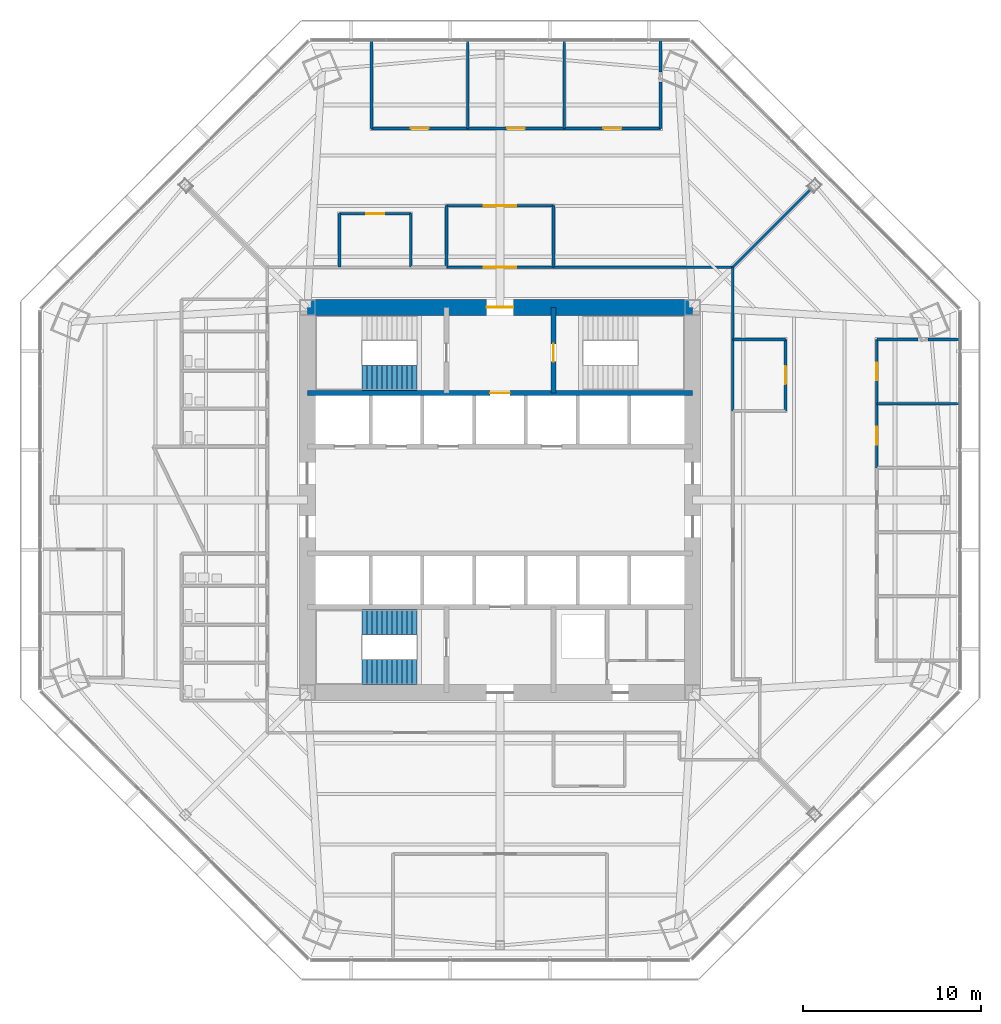
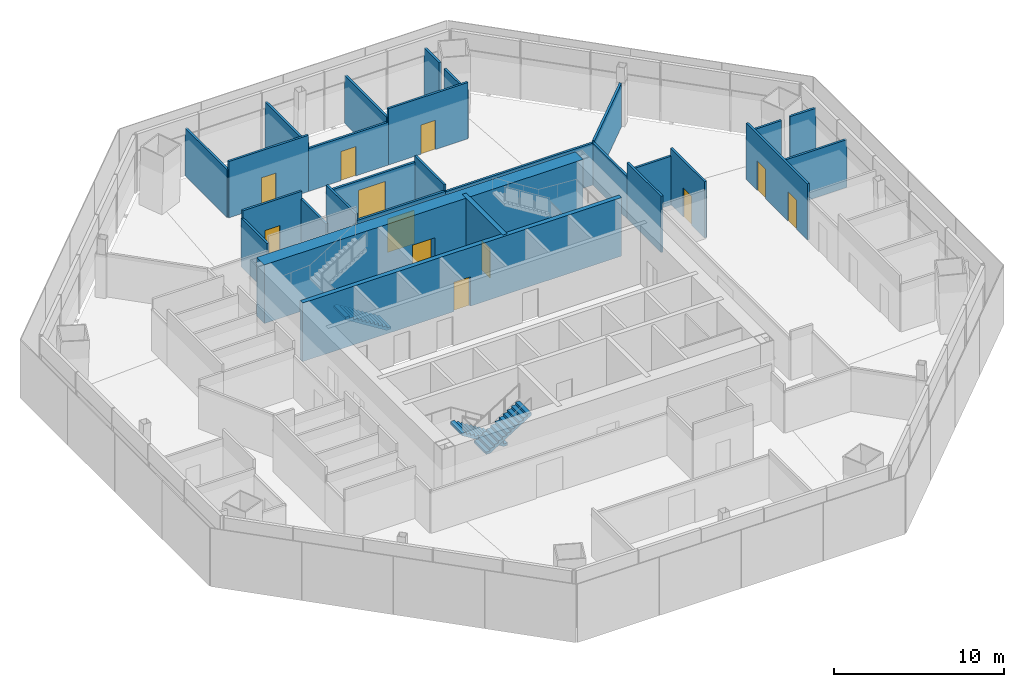
# One storey, part 12 of 16: 28 walls, 12 doors, 3 stair flights, 12 openings, 2 elements without a shape of their own.
"""IFC4 building model written with IfcOpenShell, lengths in metres."""

import ifcopenshell
import ifcopenshell.guid

model = None  # the IFC model being written
_history = None  # IfcOwnerHistory: only IFC2X3 demands one
_inside = {}  # id of a spatial element -> (the spatial element, [elements in it])
_under = {}  # id of a project, library or spatial element -> (it, [spatial elements below it])
_declared = {}  # id of a project -> (the project, [libraries it declares])
_typed = {}  # id of a type object -> (the type object, [elements of that type])
_made_of = {}  # id of a material, layer set ... -> (it, [elements and type objects made of it])


def new_model(schema):
    """Start an empty IFC model of exactly this schema.

    Asked for "IFC4X3", IfcOpenShell would pick the latest addendum, in which some entities
    have other attributes; the version numbers below select the first issue.
    IFC2X3 requires an IfcOwnerHistory on every rooted entity: one is made here for all.
    """
    global model, _history
    if schema == "IFC4X3":
        model = ifcopenshell.file(schema_version=(4, 3, 0, 0))
    else:
        model = ifcopenshell.file(schema=schema)
    _inside.clear()
    _under.clear()
    _declared.clear()
    _typed.clear()
    _made_of.clear()
    _history = None
    if model.schema == "IFC2X3":
        org = make("IfcOrganization", Name="unknown")
        user = make(
            "IfcPersonAndOrganization",
            ThePerson=make("IfcPerson", FamilyName="unknown"),
            TheOrganization=org,
        )
        app = make(
            "IfcApplication",
            ApplicationDeveloper=org,
            Version="unknown",
            ApplicationFullName="unknown",
            ApplicationIdentifier="unknown",
        )
        _history = make(
            "IfcOwnerHistory",
            OwningUser=user,
            OwningApplication=app,
            ChangeAction="ADDED",
            CreationDate=0,
        )
    return model


def make(cls, **values):
    """One entity of the class cls with the attributes given. An attribute that is None is left unset."""
    return model.create_entity(
        cls, **{name: value for name, value in values.items() if value is not None}
    )


def rooted(cls, **values):
    """An entity with a GlobalId (a new one), such as an element, a storey or a relation."""
    return make(cls, GlobalId=ifcopenshell.guid.new(), OwnerHistory=_history, **values)


def si_unit(unit_type, name, prefix=None):
    """IfcSIUnit, for example si_unit("LENGTHUNIT", "METRE", prefix="MILLI")."""
    return make("IfcSIUnit", UnitType=unit_type, Prefix=prefix, Name=name)


def assignment(units):
    """IfcUnitAssignment: the units of a project."""
    return None if units is None else make("IfcUnitAssignment", Units=units)


def point(xyz):
    """IfcCartesianPoint."""
    return None if xyz is None else make("IfcCartesianPoint", Coordinates=xyz)


def direction(xyz):
    """IfcDirection."""
    return None if xyz is None else make("IfcDirection", DirectionRatios=xyz)


def frame(location, z_axis=None, x_axis=None):
    """IfcAxis2Placement3D, a coordinate frame: its origin and axes. An axis left out is left unset."""
    return make(
        "IfcAxis2Placement3D",
        Location=point(location),
        Axis=direction(z_axis),
        RefDirection=direction(x_axis),
    )


def frame_2d(location, x_axis=None):
    """IfcAxis2Placement2D, a coordinate frame in the plane: its origin and x axis."""
    return make(
        "IfcAxis2Placement2D", Location=point(location), RefDirection=direction(x_axis)
    )


def origin():
    """The frame at (0, 0, 0) with its axes left unset."""
    return frame((0.0, 0.0, 0.0))


def place(relative_to, where):
    """IfcLocalPlacement: puts the frame where relative to a parent placement (None: the world)."""
    return make(
        "IfcLocalPlacement", PlacementRelTo=relative_to, RelativePlacement=where
    )


def context(
    kind, dimensions, precision=None, world=None, true_north=None, identifier=None
):
    """IfcGeometricRepresentationContext, for example the 3D "Model" context."""
    return make(
        "IfcGeometricRepresentationContext",
        ContextIdentifier=identifier,
        ContextType=kind,
        CoordinateSpaceDimension=dimensions,
        Precision=precision,
        WorldCoordinateSystem=world,
        TrueNorth=true_north,
    )


def subcontext(parent, identifier, kind, view, scale=None):
    """IfcGeometricRepresentationSubContext, for example "Body" below "Model"."""
    return make(
        "IfcGeometricRepresentationSubContext",
        ContextIdentifier=identifier,
        ContextType=kind,
        ParentContext=parent,
        TargetScale=scale,
        TargetView=view,
    )


def project(units=None, contexts=None):
    """IfcProject with its units and contexts."""
    return rooted(
        "IfcProject",
        Name="project",
        RepresentationContexts=contexts,
        UnitsInContext=assignment(units),
    )


def spatial(cls, under=None, at=None, **own):
    """A site, building, storey or space (cls), placed at a placement, below another one or the project."""
    s = rooted(cls, ObjectPlacement=at, **own)
    if under is not None:
        _under.setdefault(under.id(), (under, []))[1].append(s)
    return s


def polyline(points):
    """IfcPolyline through the points."""
    return make("IfcPolyline", Points=[point(p) for p in points])


def profile(cls, at=None, kind="AREA", **sizes):
    """A parametric profile (cls). Its sizes go by their IFC names, for example OverallWidth=200.0."""
    return make(cls, ProfileType=kind, Position=at, **sizes)


def rectangle(**sizes):
    """IfcRectangleProfileDef."""
    return profile("IfcRectangleProfileDef", **sizes)


def outline(outer, holes=None, kind="AREA"):
    """IfcArbitraryClosedProfileDef: a profile drawn as a closed curve; with holes, ...WithVoids."""
    if holes is None:
        return make("IfcArbitraryClosedProfileDef", ProfileType=kind, OuterCurve=outer)
    return make(
        "IfcArbitraryProfileDefWithVoids",
        ProfileType=kind,
        OuterCurve=outer,
        InnerCurves=holes,
    )


def extrude(swept, where, along, depth):
    """IfcExtrudedAreaSolid: the profile swept, set in the frame where, extruded along a direction by depth."""
    return make(
        "IfcExtrudedAreaSolid",
        SweptArea=swept,
        Position=where,
        ExtrudedDirection=direction(along),
        Depth=depth,
    )


def shape(context_of_items, identifier, shape_type, items):
    """IfcShapeRepresentation: the items that make up one representation, for example the "Body"."""
    return make(
        "IfcShapeRepresentation",
        ContextOfItems=context_of_items,
        RepresentationIdentifier=identifier,
        RepresentationType=shape_type,
        Items=items,
    )


def material(Name=None, Category=None):
    """IfcMaterial."""
    return make("IfcMaterial", Name=Name, Category=Category)


def layer(
    of_material, thickness, ventilated=None, Name=None, Category=None, Priority=None
):
    """IfcMaterialLayer: one layer of a wall or slab, of a material (None: an air gap)."""
    return make(
        "IfcMaterialLayer",
        Material=of_material,
        LayerThickness=thickness,
        IsVentilated=ventilated,
        Name=Name,
        Category=Category,
        Priority=Priority,
    )


def layer_set(layers, Name=None):
    """IfcMaterialLayerSet."""
    return make("IfcMaterialLayerSet", MaterialLayers=layers, LayerSetName=Name)


def made_of(thing, what):
    """Note that an element or type object is made of a material, layer set ...; save() writes the relation."""
    if what is not None:
        _made_of.setdefault(what.id(), (what, []))[1].append(thing)
    return thing


def type_object(cls, material=None, **own):
    """A type object (cls), such as IfcWallType, which elements share."""
    return made_of(rooted(cls, **own), material)


def element(
    cls,
    number,
    at=None,
    inside=None,
    cuts=None,
    type_object=None,
    material=None,
    context=None,
    identifier="Body",
    shape_type=None,
    held_by="IfcProductDefinitionShape",
    body=None,
    shapes=None,
    **own,
):
    """One element of the class cls, such as IfcWall. Its Tag is "e" and its number.

    at: its placement. inside: the storey or other place that contains it. cuts: it is an
    opening in that element (IfcRelVoidsElement). A single representation is given by context,
    identifier, shape_type and body (its items); several are given by shapes. held_by: the class
    of the entity that holds the representations. save() writes the other relations.
    """
    e = rooted(cls, Tag="e%d" % number, ObjectPlacement=at, **own)
    if body is not None:
        shapes = [shape(context, identifier, shape_type, body)]
    if shapes is not None:
        e.Representation = make(held_by, Representations=shapes)
    if inside is not None:
        _inside.setdefault(inside.id(), (inside, []))[1].append(e)
    if cuts is not None:
        rooted(
            "IfcRelVoidsElement", RelatingBuildingElement=cuts, RelatedOpeningElement=e
        )
    if type_object is not None:
        _typed.setdefault(type_object.id(), (type_object, []))[1].append(e)
    return made_of(e, material)


def fill(opening, filler):
    """IfcRelFillsElement: the door or window that sits in an opening."""
    return rooted(
        "IfcRelFillsElement",
        RelatingOpeningElement=opening,
        RelatedBuildingElement=filler,
    )


def aggregate(whole, parts):
    """IfcRelAggregates: a whole, such as a stair, and the parts it consists of."""
    return rooted("IfcRelAggregates", RelatingObject=whole, RelatedObjects=parts)


def save(model, path):
    """Write the relations noted so far, then the file.

    IfcRelAggregates (storeys below a building ...), IfcRelContainedInSpatialStructure (elements
    in a storey), IfcRelDefinesByType, IfcRelAssociatesMaterial and IfcRelDeclares: one each for
    every whole, place, type object, material and project.
    """
    for whole, parts in _under.values():
        aggregate(whole, parts)
    for where, things in _inside.values():
        rooted(
            "IfcRelContainedInSpatialStructure",
            RelatedElements=things,
            RelatingStructure=where,
        )
    for kind, things in _typed.values():
        rooted("IfcRelDefinesByType", RelatedObjects=things, RelatingType=kind)
    for what, things in _made_of.values():
        rooted("IfcRelAssociatesMaterial", RelatedObjects=things, RelatingMaterial=what)
    for by, libraries in _declared.values():
        rooted("IfcRelDeclares", RelatingContext=by, RelatedDefinitions=libraries)
    model.write(path)


model = new_model("IFC4")

# Units and contexts
model_context = context("Model", 3, precision=1e-05, world=origin(), true_north=direction((0.0, 1.0)))
body_context = subcontext(model_context, "Body", "Model", "MODEL_VIEW")
ifc_project = project(units=[si_unit("LENGTHUNIT", "METRE"), si_unit("AREAUNIT", "SQUARE_METRE"), si_unit("VOLUMEUNIT", "CUBIC_METRE"), si_unit("PLANEANGLEUNIT", "RADIAN"), si_unit("MASSUNIT", "GRAM", prefix="KILO")], contexts=[model_context])

# Site, building, storey
site_placement = place(None, origin())
site = spatial("IfcSite", under=ifc_project, at=site_placement, CompositionType="ELEMENT")
building_placement = place(site_placement, origin())
building = spatial("IfcBuilding", under=site, at=building_placement, Name="Mashrafa Tower", CompositionType="ELEMENT")
storey_placement = place(building_placement, frame((0.0, 0.0, 79.199951171875)))
storey = spatial("IfcBuildingStorey", under=building, at=storey_placement, Name="L17", CompositionType="ELEMENT", Elevation=79.199951171875)

# Wall, opening, door
ifc_material_1 = material(Name="Concrete C60/75", Category="concrete")
ifc_layer_1 = layer(ifc_material_1, 0.300048828125)
ifc_layer_set_1 = layer_set([ifc_layer_1], Name="Core wall 300 C60/75")
wall_type_1 = type_object("IfcWallType", Name="Core wall 300 C60/75", PredefinedType="SOLIDWALL", material=ifc_layer_set_1)
wall_1_placement = place(storey_placement, frame((-10.800048828125, 6.0, 0.0), z_axis=(0.0, 0.0, 1.0), x_axis=(1.0, 0.0, 0.0)))
wall_1 = element("IfcWall", 1, at=wall_1_placement, inside=storey, type_object=wall_type_1, Name="Core wall CB-N L17", PredefinedType="SOLIDWALL", context=body_context, shape_type="SweptSolid", body=[
    extrude(rectangle(XDim=21.60009765625, YDim=0.300048828125, at=frame_2d((10.800048828125, 0.0))), origin(), (0.0, 0.0, 1.0), 4.199951171875),
])
opening_1_placement = place(wall_1_placement, frame((10.25, 0.0, 0.0)))
opening_1 = element("IfcOpeningElement", 2, at=opening_1_placement, cuts=wall_1, Name="Opening 17.F1", PredefinedType="OPENING", context=body_context, shape_type="SweptSolid", body=[
    extrude(rectangle(XDim=1.10009765625, YDim=2.10009765625, at=frame_2d((0.550048828125, 1.050048828125))), frame((0.0, 0.159912109375, 0.0), z_axis=(0.0, -1.0, 0.0), x_axis=(1.0, 0.0, 0.0)), (0.0, 0.0, 1.0), 0.320068359375),
])
ifc_material_2 = material(Name="Steel door", Category="steel")
door_type_1 = type_object("IfcDoorType", Name="Lift landing door 1100 x 2100 90 min", OperationType="DOUBLE_DOOR_SLIDING", PredefinedType="DOOR", material=ifc_material_2)
door_1_placement = place(opening_1_placement, origin())
door_1 = element("IfcDoor", 3, at=door_1_placement, inside=storey, type_object=door_type_1, Name="Lift landing door F1 L17", OperationType="DOUBLE_DOOR_SLIDING", OverallHeight=2.10009765625, OverallWidth=1.10009765625, PredefinedType="DOOR", context=body_context, shape_type="SweptSolid", body=[
    extrude(rectangle(XDim=1.10009765625, YDim=2.10009765625, at=frame_2d((0.550048828125, 1.050048828125))), frame((0.0, 0.02490234375, 0.0), z_axis=(0.0, -1.0, 0.0), x_axis=(1.0, 0.0, 0.0)), (0.0, 0.0, 1.0), 0.050048828125),
])
fill(opening_1, door_1)

wall_2_placement = place(storey_placement, frame((3.0, 6.0, 0.0), z_axis=(0.0, 0.0, 1.0), x_axis=(0.0, 1.0, 0.0)))
wall_2 = element("IfcWall", 4, at=wall_2_placement, inside=storey, type_object=wall_type_1, Name="Core wall CX-NE L17", PredefinedType="SOLIDWALL", context=body_context, shape_type="SweptSolid", body=[
    extrude(rectangle(XDim=4.800048828125, YDim=0.300048828125, at=frame_2d((2.39990234375, 0.0))), origin(), (0.0, 0.0, 1.0), 4.199951171875),
])
opening_2_placement = place(wall_2_placement, frame((1.75, 0.0, 0.0)))
opening_2 = element("IfcOpeningElement", 5, at=opening_2_placement, cuts=wall_2, Name="Opening 17.035", PredefinedType="OPENING", context=body_context, shape_type="SweptSolid", body=[
    extrude(rectangle(XDim=1.0, YDim=2.10009765625, at=frame_2d((0.5, 1.050048828125))), frame((0.0, 0.159912109375, 0.0), z_axis=(0.0, -1.0, 0.0), x_axis=(1.0, 0.0, 0.0)), (0.0, 0.0, 1.0), 0.320068359375),
])
ifc_material_3 = material(Name="Steel door", Category="steel")
door_type_2 = type_object("IfcDoorType", Name="Stair door 1000 x 2100 90 min", OperationType="USERDEFINED", PredefinedType="DOOR", material=ifc_material_3)
door_2_placement = place(opening_2_placement, frame((1.0, 0.0, 0.0), z_axis=(0.0, 0.0, 1.0), x_axis=(-1.0, 0.0, 0.0)))
door_2 = element("IfcDoor", 6, at=door_2_placement, inside=storey, type_object=door_type_2, Name="Stair S2 door L17", OperationType="SINGLE_SWING_RIGHT", OverallHeight=2.10009765625, OverallWidth=1.0, PredefinedType="DOOR", context=body_context, shape_type="SweptSolid", body=[
    extrude(rectangle(XDim=1.0, YDim=2.10009765625, at=frame_2d((0.5, 1.050048828125))), frame((0.0, 0.02490234375, 0.0), z_axis=(0.0, -1.0, 0.0), x_axis=(1.0, 0.0, 0.0)), (0.0, 0.0, 1.0), 0.050048828125),
])
fill(opening_2, door_2)

ifc_material_4 = material(Name="Concrete C60/75", Category="concrete")
ifc_layer_2 = layer(ifc_material_4, 0.89990234375)
ifc_layer_set_2 = layer_set([ifc_layer_2], Name="Core wall 900 C60/75")
wall_type_2 = type_object("IfcWallType", Name="Core wall 900 C60/75", PredefinedType="SOLIDWALL", material=ifc_layer_set_2)
wall_3_placement = place(storey_placement, frame((10.800048828125, 10.800048828125, 0.0), z_axis=(0.0, 0.0, 1.0), x_axis=(-1.0, 0.0, 0.0)))
wall_3 = element("IfcWall", 7, at=wall_3_placement, inside=storey, type_object=wall_type_2, Name="Core wall CW-N L17", PredefinedType="SOLIDWALL", context=body_context, shape_type="SweptSolid", body=[
    extrude(rectangle(XDim=21.60009765625, YDim=0.89990234375, at=frame_2d((10.800048828125, 0.0))), origin(), (0.0, 0.0, 1.0), 4.199951171875),
])
opening_3_placement = place(wall_3_placement, frame((10.050048828125, 0.0, 0.0)))
opening_3 = element("IfcOpeningElement", 8, at=opening_3_placement, cuts=wall_3, Name="Opening 17.032", PredefinedType="OPENING", context=body_context, shape_type="SweptSolid", body=[
    extrude(rectangle(XDim=1.5, YDim=2.10009765625, at=frame_2d((0.75, 1.050048828125))), frame((0.0, 0.4599609375, 0.0), z_axis=(0.0, -1.0, 0.0), x_axis=(1.0, 0.0, 0.0)), (0.0, 0.0, 1.0), 0.919921875),
])
ifc_material_5 = material(Name="Steel door", Category="steel")
door_type_3 = type_object("IfcDoorType", Name="Lobby door pair 1500 x 2100 90 min", OperationType="DOUBLE_DOOR_SINGLE_SWING", PredefinedType="DOOR", material=ifc_material_5)
door_3_placement = place(opening_3_placement, origin())
door_3 = element("IfcDoor", 9, at=door_3_placement, inside=storey, type_object=door_type_3, Name="Fire-fighting lobby F1 door L17", OperationType="DOUBLE_DOOR_SINGLE_SWING", OverallHeight=2.10009765625, OverallWidth=1.5, PredefinedType="DOOR", context=body_context, shape_type="SweptSolid", body=[
    extrude(rectangle(XDim=1.5, YDim=2.10009765625, at=frame_2d((0.75, 1.050048828125))), frame((0.0, 0.02490234375, 0.0), z_axis=(0.0, -1.0, 0.0), x_axis=(1.0, 0.0, 0.0)), (0.0, 0.0, 1.0), 0.050048828125),
])
fill(opening_3, door_3)

ifc_material_6 = material(Name="Gypsum board on steel studs", Category="steel")
ifc_layer_3 = layer(ifc_material_6, 0.14990234375)
ifc_layer_set_3 = layer_set([ifc_layer_3], Name="Corridor partition 150 1 hr")
wall_type_3 = type_object("IfcWallType", Name="Corridor partition 150 1 hr", PredefinedType="PARTITIONING", material=ifc_layer_set_3)
wall_4_placement = place(storey_placement, frame((3.0009765625, 13.050048828125, 0.0), z_axis=(0.0, 0.0, 1.0), x_axis=(-1.0, 0.0, 0.0)))
wall_4 = element("IfcWall", 10, at=wall_4_placement, inside=storey, type_object=wall_type_3, Name="Corridor wall L17-010", PredefinedType="PARTITIONING", context=body_context, shape_type="SweptSolid", body=[
    extrude(rectangle(XDim=6.001953125, YDim=0.14990234375, at=frame_2d((3.0009765625, 0.0))), origin(), (0.0, 0.0, 1.0), 3.06494140625),
])
opening_4_placement = place(wall_4_placement, frame((2.10107421875, 0.0, 0.0)))
opening_4 = element("IfcOpeningElement", 11, at=opening_4_placement, cuts=wall_4, Name="Opening 17.010", PredefinedType="OPENING", context=body_context, shape_type="SweptSolid", body=[
    extrude(rectangle(XDim=1.800048828125, YDim=2.39990234375, at=frame_2d((0.89990234375, 1.199951171875))), frame((0.0, 0.0849609375, 0.0), z_axis=(0.0, -1.0, 0.0), x_axis=(1.0, 0.0, 0.0)), (0.0, 0.0, 1.0), 0.169921875),
])
ifc_material_7 = material(Name="Steel door", Category="steel")
door_type_4 = type_object("IfcDoorType", Name="Door pair 1800 x 2400 90 min", OperationType="DOUBLE_DOOR_SINGLE_SWING", PredefinedType="DOOR", material=ifc_material_7)
door_4_placement = place(opening_4_placement, origin())
door_4 = element("IfcDoor", 12, at=door_4_placement, inside=storey, type_object=door_type_4, Name="Reception 17-N door", OperationType="DOUBLE_DOOR_SINGLE_SWING", OverallHeight=2.39990234375, OverallWidth=1.800048828125, PredefinedType="DOOR", context=body_context, shape_type="SweptSolid", body=[
    extrude(rectangle(XDim=1.800048828125, YDim=2.39990234375, at=frame_2d((0.89990234375, 1.199951171875))), frame((0.0, 0.02490234375, 0.0), z_axis=(0.0, -1.0, 0.0), x_axis=(1.0, 0.0, 0.0)), (0.0, 0.0, 1.0), 0.050048828125),
])
fill(opening_4, door_4)

# Walls
wall_5_placement = place(storey_placement, frame((13.050048828125, 4.9990234375, 0.0), z_axis=(0.0, 0.0, 1.0), x_axis=(0.0, 1.0, 0.0)))
element("IfcWall", 13, at=wall_5_placement, inside=storey, type_object=wall_type_3, Name="Corridor wall L17-012", PredefinedType="PARTITIONING", context=body_context, shape_type="SweptSolid", body=[
    extrude(rectangle(XDim=4.001953125, YDim=0.14990234375, at=frame_2d((2.0009765625, 0.0))), origin(), (0.0, 0.0, 1.0), 4.03515625),
])
wall_6_placement = place(storey_placement, frame((13.050048828125, 13.050048828125, 0.0), z_axis=(0.0, 0.0, 1.0), x_axis=(-1.0, 0.0, 0.0)))
element("IfcWall", 14, at=wall_6_placement, inside=storey, type_object=wall_type_3, Name="Corridor wall L17-016", PredefinedType="PARTITIONING", context=body_context, shape_type="SweptSolid", body=[
    extrude(rectangle(XDim=10.051025390625, YDim=0.14990234375, at=frame_2d((5.025390625, 0.0))), origin(), (0.0, 0.0, 1.0), 3.01416015625),
])
wall_7_placement = place(storey_placement, frame((13.050048828125, 8.9990234375, 0.0), z_axis=(0.0, 0.0, 1.0), x_axis=(0.0, 1.0, 0.0)))
element("IfcWall", 15, at=wall_7_placement, inside=storey, type_object=wall_type_3, Name="Corridor wall L17-017", PredefinedType="PARTITIONING", context=body_context, shape_type="SweptSolid", body=[
    extrude(rectangle(XDim=4.051025390625, YDim=0.14990234375, at=frame_2d((2.025390625, 0.0))), origin(), (0.0, 0.0, 1.0), 3.01416015625),
])
wall_8_placement = place(storey_placement, frame((3.0, 13.050048828125, 0.0), z_axis=(0.0, 0.0, 1.0), x_axis=(0.0, 1.0, 0.0)))
element("IfcWall", 16, at=wall_8_placement, inside=storey, type_object=wall_type_3, Name="Corridor wall L17-048", PredefinedType="PARTITIONING", context=body_context, shape_type="SweptSolid", body=[
    extrude(rectangle(XDim=3.449951171875, YDim=0.14990234375, at=frame_2d((1.72509765625, 0.0))), origin(), (0.0, 0.0, 1.0), 3.49169921875),
])

# Wall, opening, door
wall_9_placement = place(storey_placement, frame((3.0, 16.5, 0.0), z_axis=(0.0, 0.0, 1.0), x_axis=(-1.0, 0.0, 0.0)))
wall_9 = element("IfcWall", 17, at=wall_9_placement, inside=storey, type_object=wall_type_3, Name="Corridor wall L17-049", PredefinedType="PARTITIONING", context=body_context, shape_type="SweptSolid", body=[
    extrude(rectangle(XDim=6.0, YDim=0.14990234375, at=frame_2d((3.0, 0.0))), origin(), (0.0, 0.0, 1.0), 3.06494140625),
])
opening_5_placement = place(wall_9_placement, frame((2.10009765625, 0.0, 0.0)))
opening_5 = element("IfcOpeningElement", 18, at=opening_5_placement, cuts=wall_9, Name="Opening 17.025", PredefinedType="OPENING", context=body_context, shape_type="SweptSolid", body=[
    extrude(rectangle(XDim=1.800048828125, YDim=2.39990234375, at=frame_2d((0.89990234375, 1.199951171875))), frame((0.0, 0.0849609375, 0.0), z_axis=(0.0, -1.0, 0.0), x_axis=(1.0, 0.0, 0.0)), (0.0, 0.0, 1.0), 0.169921875),
])
door_5_placement = place(opening_5_placement, frame((1.800048828125, 0.0, 0.0), z_axis=(0.0, 0.0, 1.0), x_axis=(-1.0, 0.0, 0.0)))
door_5 = element("IfcDoor", 19, at=door_5_placement, inside=storey, type_object=door_type_4, Name="Office Tenancy 17-N door", OperationType="DOUBLE_DOOR_SINGLE_SWING", OverallHeight=2.39990234375, OverallWidth=1.800048828125, PredefinedType="DOOR", context=body_context, shape_type="SweptSolid", body=[
    extrude(rectangle(XDim=1.800048828125, YDim=2.39990234375, at=frame_2d((0.89990234375, 1.199951171875))), frame((0.0, 0.02490234375, 0.0), z_axis=(0.0, -1.0, 0.0), x_axis=(1.0, 0.0, 0.0)), (0.0, 0.0, 1.0), 0.050048828125),
])
fill(opening_5, door_5)

# Walls
wall_10_placement = place(storey_placement, frame((-3.0, 16.5, 0.0), z_axis=(0.0, 0.0, 1.0), x_axis=(0.0, -1.0, 0.0)))
element("IfcWall", 20, at=wall_10_placement, inside=storey, type_object=wall_type_3, Name="Corridor wall L17-050", PredefinedType="PARTITIONING", context=body_context, shape_type="SweptSolid", body=[
    extrude(rectangle(XDim=3.449951171875, YDim=0.14990234375, at=frame_2d((1.72509765625, 0.0))), origin(), (0.0, 0.0, 1.0), 3.49169921875),
])
ifc_material_8 = material(Name="Gypsum board on steel studs", Category="steel")
ifc_layer_4 = layer(ifc_material_8, 0.14990234375)
ifc_layer_set_4 = layer_set([ifc_layer_4], Name="Partition 150")
wall_type_4 = type_object("IfcWallType", Name="Partition 150", PredefinedType="PARTITIONING", material=ifc_layer_set_4)
wall_11_placement = place(storey_placement, frame((-5.0, 13.050048828125, 0.0), z_axis=(0.0, 0.0, 1.0), x_axis=(0.0, 1.0, 0.0)))
element("IfcWall", 21, at=wall_11_placement, inside=storey, type_object=wall_type_4, Name="Partition wall L17-051", PredefinedType="PARTITIONING", context=body_context, shape_type="SweptSolid", body=[
    extrude(rectangle(XDim=3.0, YDim=0.14990234375, at=frame_2d((1.5, 0.0))), origin(), (0.0, 0.0, 1.0), 3.49169921875),
])

# Wall, opening, door
wall_12_placement = place(storey_placement, frame((-5.0, 16.050048828125, 0.0), z_axis=(0.0, 0.0, 1.0), x_axis=(-1.0, 0.0, 0.0)))
wall_12 = element("IfcWall", 22, at=wall_12_placement, inside=storey, type_object=wall_type_4, Name="Partition wall L17-052", PredefinedType="PARTITIONING", context=body_context, shape_type="SweptSolid", body=[
    extrude(rectangle(XDim=4.0, YDim=0.14990234375, at=frame_2d((2.0, 0.0))), origin(), (0.0, 0.0, 1.0), 4.03515625),
])
opening_6_placement = place(wall_12_placement, frame((1.5, 0.0, 0.0)))
opening_6 = element("IfcOpeningElement", 23, at=opening_6_placement, cuts=wall_12, Name="Opening 17.011", PredefinedType="OPENING", context=body_context, shape_type="SweptSolid", body=[
    extrude(rectangle(XDim=1.0, YDim=2.10009765625, at=frame_2d((0.5, 1.050048828125))), frame((0.0, 0.0849609375, 0.0), z_axis=(0.0, -1.0, 0.0), x_axis=(1.0, 0.0, 0.0)), (0.0, 0.0, 1.0), 0.169921875),
])
ifc_material_9 = material(Name="Timber door", Category="wood")
door_type_5 = type_object("IfcDoorType", Name="Door 1000 x 2100", OperationType="USERDEFINED", PredefinedType="DOOR", material=ifc_material_9)
door_6_placement = place(opening_6_placement, origin())
door_6 = element("IfcDoor", 24, at=door_6_placement, inside=storey, type_object=door_type_5, Name="Pantry 17-N door", OperationType="SINGLE_SWING_LEFT", OverallHeight=2.10009765625, OverallWidth=1.0, PredefinedType="DOOR", context=body_context, shape_type="SweptSolid", body=[
    extrude(rectangle(XDim=1.0, YDim=2.10009765625, at=frame_2d((0.5, 1.050048828125))), frame((0.0, 0.02490234375, 0.0), z_axis=(0.0, -1.0, 0.0), x_axis=(1.0, 0.0, 0.0)), (0.0, 0.0, 1.0), 0.050048828125),
])
fill(opening_6, door_6)

# Wall
wall_13_placement = place(storey_placement, frame((-9.0, 16.050048828125, 0.0), z_axis=(0.0, 0.0, 1.0), x_axis=(0.0, -1.0, 0.0)))
element("IfcWall", 25, at=wall_13_placement, inside=storey, type_object=wall_type_4, Name="Partition wall L17-053", PredefinedType="PARTITIONING", context=body_context, shape_type="SweptSolid", body=[
    extrude(rectangle(XDim=3.0, YDim=0.14990234375, at=frame_2d((1.5, 0.0))), origin(), (0.0, 0.0, 1.0), 3.49169921875),
])

# Wall, opening, door
wall_14_placement = place(storey_placement, frame((16.0, 5.0, 0.0), z_axis=(0.0, 0.0, 1.0), x_axis=(0.0, 1.0, 0.0)))
wall_14 = element("IfcWall", 26, at=wall_14_placement, inside=storey, type_object=wall_type_4, Name="Partition wall L17-055", PredefinedType="PARTITIONING", context=body_context, shape_type="SweptSolid", body=[
    extrude(rectangle(XDim=4.0, YDim=0.14990234375, at=frame_2d((2.0, 0.0))), origin(), (0.0, 0.0, 1.0), 4.03515625),
])
opening_7_placement = place(wall_14_placement, frame((1.5, 0.0, 0.0)))
opening_7 = element("IfcOpeningElement", 27, at=opening_7_placement, cuts=wall_14, Name="Opening 17.012", PredefinedType="OPENING", context=body_context, shape_type="SweptSolid", body=[
    extrude(rectangle(XDim=1.0, YDim=2.10009765625, at=frame_2d((0.5, 1.050048828125))), frame((0.0, 0.0849609375, 0.0), z_axis=(0.0, -1.0, 0.0), x_axis=(1.0, 0.0, 0.0)), (0.0, 0.0, 1.0), 0.169921875),
])
door_7_placement = place(opening_7_placement, origin())
door_7 = element("IfcDoor", 28, at=door_7_placement, inside=storey, type_object=door_type_5, Name="Pantry 17-E door", OperationType="SINGLE_SWING_LEFT", OverallHeight=2.10009765625, OverallWidth=1.0, PredefinedType="DOOR", context=body_context, shape_type="SweptSolid", body=[
    extrude(rectangle(XDim=1.0, YDim=2.10009765625, at=frame_2d((0.5, 1.050048828125))), frame((0.0, 0.02490234375, 0.0), z_axis=(0.0, -1.0, 0.0), x_axis=(1.0, 0.0, 0.0)), (0.0, 0.0, 1.0), 0.050048828125),
])
fill(opening_7, door_7)

# Walls
wall_15_placement = place(storey_placement, frame((16.0, 9.0, 0.0), z_axis=(0.0, 0.0, 1.0), x_axis=(-1.0, 0.0, 0.0)))
element("IfcWall", 29, at=wall_15_placement, inside=storey, type_object=wall_type_4, Name="Partition wall L17-056", PredefinedType="PARTITIONING", context=body_context, shape_type="SweptSolid", body=[
    extrude(rectangle(XDim=2.949951171875, YDim=0.14990234375, at=frame_2d((1.47509765625, 0.0))), origin(), (0.0, 0.0, 1.0), 3.49169921875),
])
wall_16_placement = place(storey_placement, frame((3.60009765625, 25.75634765625, 0.0), z_axis=(0.0, 0.0, 1.0), x_axis=(0.0, -1.0, 0.0)))
element("IfcWall", 30, at=wall_16_placement, inside=storey, type_object=wall_type_4, Name="Partition wall L17-063", PredefinedType="PARTITIONING", context=body_context, shape_type="SweptSolid", body=[
    extrude(rectangle(XDim=4.93212890625, YDim=0.14990234375, at=frame_2d((2.466064453125, 0.0))), origin(), (0.0, 0.0, 1.0), 3.423095703125),
])

# Wall, opening, door
wall_17_placement = place(storey_placement, frame((3.60009765625, 20.82421875, 0.0), z_axis=(0.0, 0.0, 1.0), x_axis=(1.0, 0.0, 0.0)))
wall_17 = element("IfcWall", 31, at=wall_17_placement, inside=storey, type_object=wall_type_4, Name="Partition wall L17-064", PredefinedType="PARTITIONING", context=body_context, shape_type="SweptSolid", body=[
    extrude(rectangle(XDim=5.39990234375, YDim=0.14990234375, at=frame_2d((2.699951171875, 0.0))), origin(), (0.0, 0.0, 1.0), 4.03515625),
])
opening_8_placement = place(wall_17_placement, frame((2.199951171875, 0.0, 0.0)))
opening_8 = element("IfcOpeningElement", 32, at=opening_8_placement, cuts=wall_17, Name="Opening 17.015", PredefinedType="OPENING", context=body_context, shape_type="SweptSolid", body=[
    extrude(rectangle(XDim=1.0, YDim=2.10009765625, at=frame_2d((0.5, 1.050048828125))), frame((0.0, 0.0849609375, 0.0), z_axis=(0.0, -1.0, 0.0), x_axis=(1.0, 0.0, 0.0)), (0.0, 0.0, 1.0), 0.169921875),
])
door_8_placement = place(opening_8_placement, origin())
door_8 = element("IfcDoor", 33, at=door_8_placement, inside=storey, type_object=door_type_5, Name="Meeting Room 17-N-1 door", OperationType="SINGLE_SWING_RIGHT", OverallHeight=2.10009765625, OverallWidth=1.0, PredefinedType="DOOR", context=body_context, shape_type="SweptSolid", body=[
    extrude(rectangle(XDim=1.0, YDim=2.10009765625, at=frame_2d((0.5, 1.050048828125))), frame((0.0, 0.02490234375, 0.0), z_axis=(0.0, -1.0, 0.0), x_axis=(1.0, 0.0, 0.0)), (0.0, 0.0, 1.0), 0.050048828125),
])
fill(opening_8, door_8)

# Walls
wall_18_placement = place(storey_placement, frame((9.0, 20.82421875, 0.0), z_axis=(0.0, 0.0, 1.0), x_axis=(0.0, 1.0, 0.0)))
element("IfcWall", 34, at=wall_18_placement, inside=storey, type_object=wall_type_4, Name="Partition wall L17-065", PredefinedType="PARTITIONING", context=body_context, shape_type="SweptSolid", body=[
    extrude(rectangle(XDim=2.597900390625, YDim=0.14990234375, at=frame_2d((1.298828125, 0.0))), origin(), (0.0, 0.0, 1.0), 3.423095703125),
])
wall_19_placement = place(storey_placement, frame((9.0, 23.998779296875, 0.0), z_axis=(0.0, 0.0, 1.0), x_axis=(0.0, 1.0, 0.0)))
element("IfcWall", 35, at=wall_19_placement, inside=storey, type_object=wall_type_4, Name="Partition wall L17-066", PredefinedType="PARTITIONING", context=body_context, shape_type="SweptSolid", body=[
    extrude(rectangle(XDim=1.757568359375, YDim=0.14990234375, at=frame_2d((0.87890625, 0.0))), origin(), (0.0, 0.0, 1.0), 3.496826171875),
])
wall_20_placement = place(storey_placement, frame((-1.800048828125, 25.75634765625, 0.0), z_axis=(0.0, 0.0, 1.0), x_axis=(0.0, -1.0, 0.0)))
element("IfcWall", 36, at=wall_20_placement, inside=storey, type_object=wall_type_4, Name="Partition wall L17-067", PredefinedType="PARTITIONING", context=body_context, shape_type="SweptSolid", body=[
    extrude(rectangle(XDim=4.93212890625, YDim=0.14990234375, at=frame_2d((2.466064453125, 0.0))), origin(), (0.0, 0.0, 1.0), 3.423095703125),
])

# Wall, opening, door
wall_21_placement = place(storey_placement, frame((-1.800048828125, 20.82421875, 0.0), z_axis=(0.0, 0.0, 1.0), x_axis=(1.0, 0.0, 0.0)))
wall_21 = element("IfcWall", 37, at=wall_21_placement, inside=storey, type_object=wall_type_4, Name="Partition wall L17-068", PredefinedType="PARTITIONING", context=body_context, shape_type="SweptSolid", body=[
    extrude(rectangle(XDim=5.400146484375, YDim=0.14990234375, at=frame_2d((2.7001953125, 0.0))), origin(), (0.0, 0.0, 1.0), 3.06494140625),
])
opening_9_placement = place(wall_21_placement, frame((2.199951171875, 0.0, 0.0)))
opening_9 = element("IfcOpeningElement", 38, at=opening_9_placement, cuts=wall_21, Name="Opening 17.016", PredefinedType="OPENING", context=body_context, shape_type="SweptSolid", body=[
    extrude(rectangle(XDim=1.0, YDim=2.10009765625, at=frame_2d((0.5, 1.050048828125))), frame((0.0, 0.0849609375, 0.0), z_axis=(0.0, -1.0, 0.0), x_axis=(1.0, 0.0, 0.0)), (0.0, 0.0, 1.0), 0.169921875),
])
door_9_placement = place(opening_9_placement, origin())
door_9 = element("IfcDoor", 39, at=door_9_placement, inside=storey, type_object=door_type_5, Name="Meeting Room 17-N-2 door", OperationType="SINGLE_SWING_LEFT", OverallHeight=2.10009765625, OverallWidth=1.0, PredefinedType="DOOR", context=body_context, shape_type="SweptSolid", body=[
    extrude(rectangle(XDim=1.0, YDim=2.10009765625, at=frame_2d((0.5, 1.050048828125))), frame((0.0, 0.02490234375, 0.0), z_axis=(0.0, -1.0, 0.0), x_axis=(1.0, 0.0, 0.0)), (0.0, 0.0, 1.0), 0.050048828125),
])
fill(opening_9, door_9)

# Wall
wall_22_placement = place(storey_placement, frame((-7.199951171875, 25.75634765625, 0.0), z_axis=(0.0, 0.0, 1.0), x_axis=(0.0, -1.0, 0.0)))
element("IfcWall", 40, at=wall_22_placement, inside=storey, type_object=wall_type_4, Name="Partition wall L17-069", PredefinedType="PARTITIONING", context=body_context, shape_type="SweptSolid", body=[
    extrude(rectangle(XDim=4.93212890625, YDim=0.14990234375, at=frame_2d((2.466064453125, 0.0))), origin(), (0.0, 0.0, 1.0), 3.423095703125),
])

# Wall, opening, door
wall_23_placement = place(storey_placement, frame((-7.199951171875, 20.82421875, 0.0), z_axis=(0.0, 0.0, 1.0), x_axis=(1.0, 0.0, 0.0)))
wall_23 = element("IfcWall", 41, at=wall_23_placement, inside=storey, type_object=wall_type_4, Name="Partition wall L17-070", PredefinedType="PARTITIONING", context=body_context, shape_type="SweptSolid", body=[
    extrude(rectangle(XDim=5.39990234375, YDim=0.14990234375, at=frame_2d((2.699951171875, 0.0))), origin(), (0.0, 0.0, 1.0), 4.03515625),
])
opening_10_placement = place(wall_23_placement, frame((2.199951171875, 0.0, 0.0)))
opening_10 = element("IfcOpeningElement", 42, at=opening_10_placement, cuts=wall_23, Name="Opening 17.017", PredefinedType="OPENING", context=body_context, shape_type="SweptSolid", body=[
    extrude(rectangle(XDim=1.0, YDim=2.10009765625, at=frame_2d((0.5, 1.050048828125))), frame((0.0, 0.0849609375, 0.0), z_axis=(0.0, -1.0, 0.0), x_axis=(1.0, 0.0, 0.0)), (0.0, 0.0, 1.0), 0.169921875),
])
door_10_placement = place(opening_10_placement, origin())
door_10 = element("IfcDoor", 43, at=door_10_placement, inside=storey, type_object=door_type_5, Name="Meeting Room 17-N-3 door", OperationType="SINGLE_SWING_LEFT", OverallHeight=2.10009765625, OverallWidth=1.0, PredefinedType="DOOR", context=body_context, shape_type="SweptSolid", body=[
    extrude(rectangle(XDim=1.0, YDim=2.10009765625, at=frame_2d((0.5, 1.050048828125))), frame((0.0, 0.02490234375, 0.0), z_axis=(0.0, -1.0, 0.0), x_axis=(1.0, 0.0, 0.0)), (0.0, 0.0, 1.0), 0.050048828125),
])
fill(opening_10, door_10)

# Wall
wall_24_placement = place(storey_placement, frame((25.75634765625, 5.39990234375, 0.0), z_axis=(0.0, 0.0, 1.0), x_axis=(-1.0, 0.0, 0.0)))
element("IfcWall", 44, at=wall_24_placement, inside=storey, type_object=wall_type_4, Name="Partition wall L17-079", PredefinedType="PARTITIONING", context=body_context, shape_type="SweptSolid", body=[
    extrude(rectangle(XDim=4.632080078125, YDim=0.14990234375, at=frame_2d((2.31591796875, 0.0))), origin(), (0.0, 0.0, 1.0), 3.423095703125),
])

# Wall, openings, doors
wall_25_placement = place(storey_placement, frame((21.124267578125, 1.800048828125, 0.0), z_axis=(0.0, 0.0, 1.0), x_axis=(0.0, 1.0, 0.0)))
wall_25 = element("IfcWall", 45, at=wall_25_placement, inside=storey, type_object=wall_type_4, Name="Partition wall L17-080", PredefinedType="PARTITIONING", context=body_context, shape_type="SweptSolid", body=[
    extrude(rectangle(XDim=7.199951171875, YDim=0.14990234375, at=frame_2d((3.60009765625, 0.0))), origin(), (0.0, 0.0, 1.0), 4.03515625),
])
opening_11_placement = place(wall_25_placement, frame((1.300048828125, 0.0, 0.0)))
opening_11 = element("IfcOpeningElement", 46, at=opening_11_placement, cuts=wall_25, Name="Opening 17.021", PredefinedType="OPENING", context=body_context, shape_type="SweptSolid", body=[
    extrude(rectangle(XDim=1.0, YDim=2.10009765625, at=frame_2d((0.5, 1.050048828125))), frame((0.0, 0.0849609375, 0.0), z_axis=(0.0, -1.0, 0.0), x_axis=(1.0, 0.0, 0.0)), (0.0, 0.0, 1.0), 0.169921875),
])
opening_12_placement = place(wall_25_placement, frame((4.89990234375, 0.0, 0.0)))
opening_12 = element("IfcOpeningElement", 47, at=opening_12_placement, cuts=wall_25, Name="Opening 17.022", PredefinedType="OPENING", context=body_context, shape_type="SweptSolid", body=[
    extrude(rectangle(XDim=1.0, YDim=2.10009765625, at=frame_2d((0.5, 1.050048828125))), frame((0.0, 0.0849609375, 0.0), z_axis=(0.0, -1.0, 0.0), x_axis=(1.0, 0.0, 0.0)), (0.0, 0.0, 1.0), 0.169921875),
])
door_11_placement = place(opening_11_placement, frame((1.0, 0.0, 0.0), z_axis=(0.0, 0.0, 1.0), x_axis=(-1.0, 0.0, 0.0)))
door_11 = element("IfcDoor", 48, at=door_11_placement, inside=storey, type_object=door_type_5, Name="Office 17-E-4 door", OperationType="SINGLE_SWING_LEFT", OverallHeight=2.10009765625, OverallWidth=1.0, PredefinedType="DOOR", context=body_context, shape_type="SweptSolid", body=[
    extrude(rectangle(XDim=1.0, YDim=2.10009765625, at=frame_2d((0.5, 1.050048828125))), frame((0.0, 0.02490234375, 0.0), z_axis=(0.0, -1.0, 0.0), x_axis=(1.0, 0.0, 0.0)), (0.0, 0.0, 1.0), 0.050048828125),
])
fill(opening_11, door_11)
door_12_placement = place(opening_12_placement, frame((1.0, 0.0, 0.0), z_axis=(0.0, 0.0, 1.0), x_axis=(-1.0, 0.0, 0.0)))
door_12 = element("IfcDoor", 49, at=door_12_placement, inside=storey, type_object=door_type_5, Name="Office 17-E-5 door", OperationType="SINGLE_SWING_LEFT", OverallHeight=2.10009765625, OverallWidth=1.0, PredefinedType="DOOR", context=body_context, shape_type="SweptSolid", body=[
    extrude(rectangle(XDim=1.0, YDim=2.10009765625, at=frame_2d((0.5, 1.050048828125))), frame((0.0, 0.02490234375, 0.0), z_axis=(0.0, -1.0, 0.0), x_axis=(1.0, 0.0, 0.0)), (0.0, 0.0, 1.0), 0.050048828125),
])
fill(opening_12, door_12)

# Walls
wall_26_placement = place(storey_placement, frame((25.75634765625, 9.0, 0.0), z_axis=(0.0, 0.0, 1.0), x_axis=(-1.0, 0.0, 0.0)))
element("IfcWall", 50, at=wall_26_placement, inside=storey, type_object=wall_type_4, Name="Partition wall L17-081", PredefinedType="PARTITIONING", context=body_context, shape_type="SweptSolid", body=[
    extrude(rectangle(XDim=1.757568359375, YDim=0.14990234375, at=frame_2d((0.87890625, 0.0))), origin(), (0.0, 0.0, 1.0), 3.496826171875),
])
wall_27_placement = place(storey_placement, frame((23.422119140625, 9.0, 0.0), z_axis=(0.0, 0.0, 1.0), x_axis=(-1.0, 0.0, 0.0)))
element("IfcWall", 51, at=wall_27_placement, inside=storey, type_object=wall_type_4, Name="Partition wall L17-082", PredefinedType="PARTITIONING", context=body_context, shape_type="SweptSolid", body=[
    extrude(rectangle(XDim=2.2978515625, YDim=0.14990234375, at=frame_2d((1.14892578125, 0.0))), origin(), (0.0, 0.0, 1.0), 3.423095703125),
])
wall_28_placement = place(storey_placement, frame((13.050048828125, 13.050048828125, 0.0), z_axis=(0.0, 0.0, 1.0), x_axis=(0.707106781187, 0.707106781187, 0.0)))
element("IfcWall", 52, at=wall_28_placement, inside=storey, type_object=wall_type_4, Name="Partition wall L17-090", PredefinedType="PARTITIONING", context=body_context, shape_type="SweptSolid", body=[
    extrude(rectangle(XDim=6.130859375, YDim=0.14990234375, at=frame_2d((3.0654296875, 0.0))), origin(), (0.0, 0.0, 1.0), 3.113037109375),
])

# Stair, stair flight
ifc_material_10 = material(Name="Exit stair 1400")
stair_type = type_object("IfcStairType", Name="Exit stair 1400", PredefinedType="HALF_TURN_STAIR", material=ifc_material_10)
stair_1_placement = place(storey_placement, origin())
stair_1 = element("IfcStair", 53, at=stair_1_placement, inside=storey, type_object=stair_type, Name="Stair S1 L17", PredefinedType="HALF_TURN_STAIR")
ifc_material_11 = material(Name="Concrete C32/40", Category="concrete")
stair_flight_type = type_object("IfcStairFlightType", Name="Stair flight 1400", PredefinedType="STRAIGHT", material=ifc_material_11)
stair_flight_1_placement = place(storey_placement, frame((-4.64990234375, 6.85009765625, 0.0), z_axis=(0.0, 0.0, 1.0), x_axis=(-1.0, 0.0, 0.0)))
stair_flight_1 = element("IfcStairFlight", 54, at=stair_flight_1_placement, type_object=stair_flight_type, Name="S1 flight 1", NumberOfRisers=12, NumberOfTreads=11, PredefinedType="STRAIGHT", RiserHeight=0.175, TreadLength=0.28, context=body_context, shape_type="SweptSolid", body=[
    extrude(outline(polyline([(0.0, 0.0), (0.0, 0.175048828125), (0.280029296875, 0.175048828125), (0.280029296875, 0.35009765625), (0.56005859375, 0.35009765625), (0.56005859375, 0.52490234375), (0.840087890625, 0.52490234375), (0.840087890625, 0.699951171875), (1.1201171875, 0.699951171875), (1.1201171875, 0.875), (1.39990234375, 0.875), (1.39990234375, 1.050048828125), (1.679931640625, 1.050048828125), (1.679931640625, 1.22509765625), (1.9599609375, 1.22509765625), (1.9599609375, 1.39990234375), (2.239990234375, 1.39990234375), (2.239990234375, 1.574951171875), (2.52001953125, 1.574951171875), (2.52001953125, 1.75), (2.800048828125, 1.75), (2.800048828125, 1.925048828125), (3.080078125, 1.925048828125), (3.080078125, 2.10009765625), (3.080078125, 1.748291015625), (0.28271484375, 0.0), (0.0, 0.0)])), frame((0.0, 0.699951171875, 0.0), z_axis=(0.0, -1.0, 0.0), x_axis=(1.0, 0.0, 0.0)), (0.0, 0.0, 1.0), 1.39990234375),
])
aggregate(stair_1, [stair_flight_1])

# Stair, stair flights
stair_2_placement = place(storey_placement, origin())
stair_2 = element("IfcStair", 55, at=stair_2_placement, inside=storey, type_object=stair_type, Name="Stair S3 L17", PredefinedType="HALF_TURN_STAIR")
stair_flight_2_placement = place(storey_placement, frame((-4.64990234375, -6.85009765625, 0.0), z_axis=(0.0, 0.0, 1.0), x_axis=(-1.0, 0.0, 0.0)))
stair_flight_2 = element("IfcStairFlight", 56, at=stair_flight_2_placement, type_object=stair_flight_type, Name="S3 flight 1", NumberOfRisers=12, NumberOfTreads=11, PredefinedType="STRAIGHT", RiserHeight=0.175, TreadLength=0.28, context=body_context, shape_type="SweptSolid", body=[
    extrude(outline(polyline([(0.0, 0.0), (0.0, 0.175048828125), (0.280029296875, 0.175048828125), (0.280029296875, 0.35009765625), (0.56005859375, 0.35009765625), (0.56005859375, 0.52490234375), (0.840087890625, 0.52490234375), (0.840087890625, 0.699951171875), (1.1201171875, 0.699951171875), (1.1201171875, 0.875), (1.39990234375, 0.875), (1.39990234375, 1.050048828125), (1.679931640625, 1.050048828125), (1.679931640625, 1.22509765625), (1.9599609375, 1.22509765625), (1.9599609375, 1.39990234375), (2.239990234375, 1.39990234375), (2.239990234375, 1.574951171875), (2.52001953125, 1.574951171875), (2.52001953125, 1.75), (2.800048828125, 1.75), (2.800048828125, 1.925048828125), (3.080078125, 1.925048828125), (3.080078125, 2.10009765625), (3.080078125, 1.748291015625), (0.28271484375, 0.0), (0.0, 0.0)])), frame((0.0, 0.699951171875, 0.0), z_axis=(0.0, -1.0, 0.0), x_axis=(1.0, 0.0, 0.0)), (0.0, 0.0, 1.0), 1.39990234375),
])
stair_flight_3_placement = place(storey_placement, frame((-7.72998046875, -9.64990234375, 2.10009765625), z_axis=(0.0, 0.0, 1.0), x_axis=(1.0, 0.0, 0.0)))
stair_flight_3 = element("IfcStairFlight", 57, at=stair_flight_3_placement, type_object=stair_flight_type, Name="S3 flight 2", NumberOfRisers=12, NumberOfTreads=11, PredefinedType="STRAIGHT", RiserHeight=0.175, TreadLength=0.28, context=body_context, shape_type="SweptSolid", body=[
    extrude(outline(polyline([(0.0, 0.0), (0.0, 0.175048828125), (0.280029296875, 0.175048828125), (0.280029296875, 0.35009765625), (0.56005859375, 0.35009765625), (0.56005859375, 0.52490234375), (0.840087890625, 0.52490234375), (0.840087890625, 0.699951171875), (1.1201171875, 0.699951171875), (1.1201171875, 0.875), (1.39990234375, 0.875), (1.39990234375, 1.050048828125), (1.679931640625, 1.050048828125), (1.679931640625, 1.22509765625), (1.9599609375, 1.22509765625), (1.9599609375, 1.39990234375), (2.239990234375, 1.39990234375), (2.239990234375, 1.574951171875), (2.52001953125, 1.574951171875), (2.52001953125, 1.75), (2.800048828125, 1.75), (2.800048828125, 1.925048828125), (3.080078125, 1.925048828125), (3.080078125, 2.10009765625), (3.080078125, 1.748291015625), (0.28271484375, 0.0), (0.0, 0.0)])), frame((0.0, 0.699951171875, 0.0), z_axis=(0.0, -1.0, 0.0), x_axis=(1.0, 0.0, 0.0)), (0.0, 0.0, 1.0), 1.39990234375),
])
aggregate(stair_2, [stair_flight_2, stair_flight_3])

save(model, "model.ifc")
